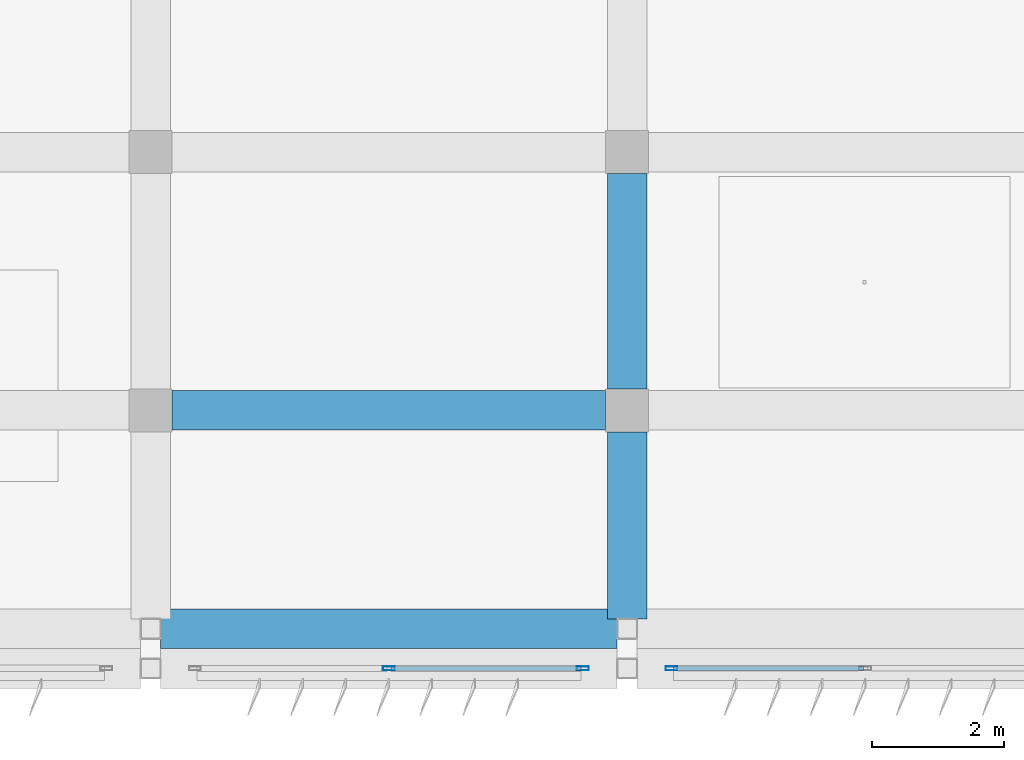
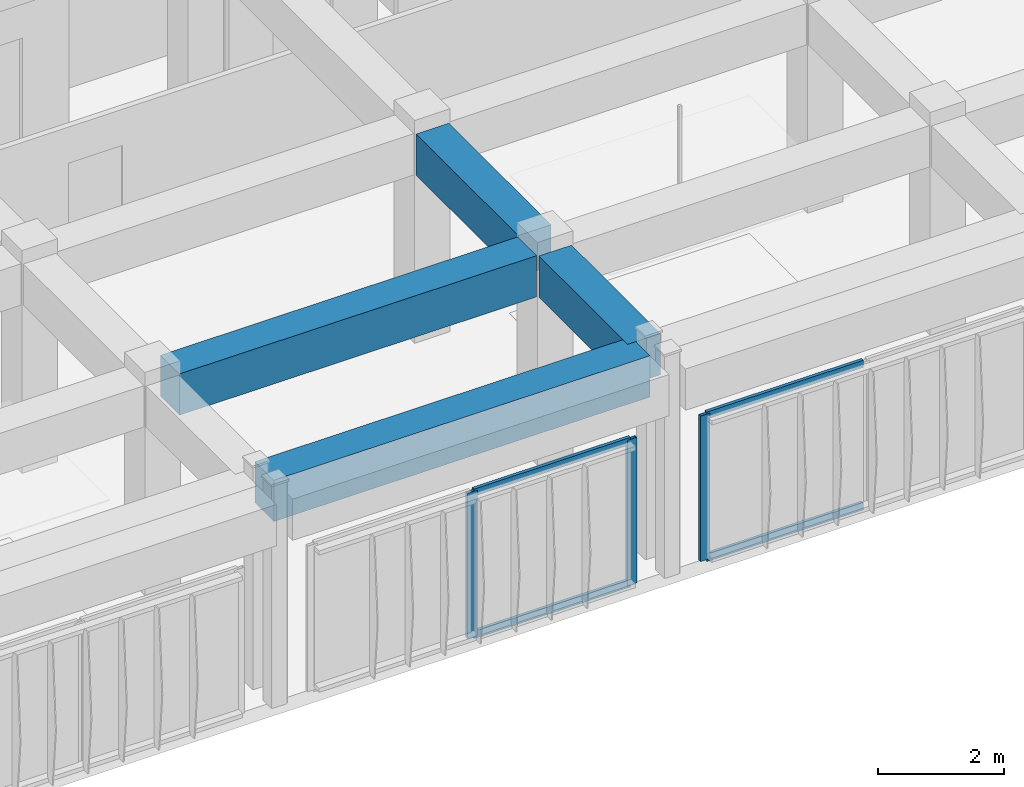
# One storey, part 7 of 42: 7 members, 4 beams, 2 elements without a shape of their own.
"""IFC4 building model written with IfcOpenShell, lengths in metres."""

from ifc_helpers import new_model, si_unit, direction, frame, origin, origin_2d, place, context, subcontext, project, spatial, rectangle, hollow_rectangle, extrude, material, material_profile, profile_set, type_object, element, aggregate, save


model = new_model("IFC4")

# Units and contexts
model_context = context("Model", 3, precision=1e-05, world=origin(), true_north=direction((0.0, 1.0)))
body_context = subcontext(model_context, "Body", "Model", "MODEL_VIEW")
ifc_project = project(units=[si_unit("LENGTHUNIT", "METRE"), si_unit("AREAUNIT", "SQUARE_METRE"), si_unit("VOLUMEUNIT", "CUBIC_METRE"), si_unit("PLANEANGLEUNIT", "RADIAN"), si_unit("MASSUNIT", "GRAM", prefix="KILO")], contexts=[model_context])

# Site, building, storey
site_placement = place(None, origin())
site = spatial("IfcSite", under=ifc_project, at=site_placement, CompositionType="ELEMENT")
building_placement = place(site_placement, origin())
building = spatial("IfcBuilding", under=site, at=building_placement, Name="Kazehaya Institute of Natural Sciences", CompositionType="ELEMENT")
storey_placement = place(building_placement, frame((0.0, 0.0, 37.6201171875)))
storey = spatial("IfcBuildingStorey", under=building, at=storey_placement, Name="L08", CompositionType="ELEMENT", Elevation=37.6201171875)

# Beams
ifc_material_1 = material(Name="Concrete Fc36", Category="concrete")
ifc_material_profile_1 = material_profile(ifc_material_1, rectangle(XDim=0.60009765625, YDim=0.800048828125, at=origin_2d()), Name="RC-600x800")
ifc_profile_set_1 = profile_set([ifc_material_profile_1], Name="Concrete Fc36")
beam_type = type_object("IfcBeamType", Name="BM-G-600x800", PredefinedType="BEAM", material=ifc_profile_set_1)
beam_1_placement = place(storey_placement, frame((69.14990234375, 6.800048828125, 3.64990234375), z_axis=(1.0, 0.0, 0.0), x_axis=(0.0, 1.0, 0.0)))
element("IfcBeam", 1, at=beam_1_placement, inside=storey, type_object=beam_type, Name="L08 primary X girder BMX-L08-690-68", PredefinedType="BEAM", context=body_context, shape_type="SweptSolid", body=[
    extrude(rectangle(XDim=0.60009765625, YDim=0.800048828125, at=origin_2d()), origin(), (0.0, 0.0, 1.0), 6.900146484375),
])
beam_2_placement = place(storey_placement, frame((69.324951171875, 10.10009765625, 3.64990234375), z_axis=(1.0, 0.0, 0.0), x_axis=(0.0, 1.0, 0.0)))
element("IfcBeam", 2, at=beam_2_placement, inside=storey, type_object=beam_type, Name="L08 primary X girder BMX-L08-690-101", PredefinedType="BEAM", context=body_context, shape_type="SweptSolid", body=[
    extrude(rectangle(XDim=0.60009765625, YDim=0.800048828125, at=origin_2d()), origin(), (0.0, 0.0, 1.0), 6.550048828125),
])
beam_3_placement = place(storey_placement, frame((76.199951171875, 6.949951171875, 3.64990234375), z_axis=(0.0, 1.0, 0.0), x_axis=(-1.0, 0.0, 0.0)))
element("IfcBeam", 3, at=beam_3_placement, inside=storey, type_object=beam_type, Name="L08 primary Y girder BMY-L08-762-68", PredefinedType="BEAM", context=body_context, shape_type="SweptSolid", body=[
    extrude(rectangle(XDim=0.60009765625, YDim=0.800048828125, at=origin_2d()), origin(), (0.0, 0.0, 1.0), 2.824951171875),
])
beam_4_placement = place(storey_placement, frame((76.199951171875, 10.425048828125, 3.64990234375), z_axis=(0.0, 1.0, 0.0), x_axis=(-1.0, 0.0, 0.0)))
element("IfcBeam", 4, at=beam_4_placement, inside=storey, type_object=beam_type, Name="L08 primary Y girder BMY-L08-762-101", PredefinedType="BEAM", context=body_context, shape_type="SweptSolid", body=[
    extrude(rectangle(XDim=0.60009765625, YDim=0.800048828125, at=origin_2d()), origin(), (0.0, 0.0, 1.0), 3.25),
])

# Curtain wall, member
ifc_material_2 = material(Name="Aluminium alloy A6063S-T5", Category="aluminium")
curtain_wall_type = type_object("IfcCurtainWallType", Name="CW-SYS-05", PredefinedType="NOTDEFINED", material=ifc_material_2)
curtain_wall_1_placement = place(storey_placement, origin())
curtain_wall_1 = element("IfcCurtainWall", 5, at=curtain_wall_1_placement, inside=storey, type_object=curtain_wall_type, Name="L08 unitised curtain wall CW-L08-181", PredefinedType="NOTDEFINED")
ifc_material_profile_2 = material_profile(ifc_material_2, hollow_rectangle(XDim=0.06005859375, YDim=0.179931640625, WallThickness=0.00390625, at=origin_2d()), Name="ALU-60x180x4")
ifc_profile_set_2 = profile_set([ifc_material_profile_2], Name="Aluminium alloy A6063S-T5")
member_type_1 = type_object("IfcMemberType", Name="CWM-180", PredefinedType="MULLION", material=ifc_profile_set_2)
member_1_placement = place(storey_placement, frame((76.8701171875, 6.199951171875, 0.0), z_axis=(0.0, 0.0, 1.0), x_axis=(0.0, -1.0, 0.0)))
member_1 = element("IfcMember", 6, at=member_1_placement, type_object=member_type_1, Name="CW05 mullion 3", PredefinedType="MULLION", context=body_context, shape_type="SweptSolid", body=[
    extrude(hollow_rectangle(XDim=0.06005859375, YDim=0.179931640625, WallThickness=0.00390625, at=origin_2d()), origin(), (0.0, 0.0, 1.0), 2.81982421875),
])

# Curtain wall, members
curtain_wall_2_placement = place(storey_placement, origin())
curtain_wall_2 = element("IfcCurtainWall", 7, at=curtain_wall_2_placement, inside=storey, type_object=curtain_wall_type, Name="L08 unitised curtain wall CW-L08-182", PredefinedType="NOTDEFINED")
member_2_placement = place(storey_placement, frame((75.530029296875, 6.199951171875, 0.0), z_axis=(0.0, 0.0, 1.0), x_axis=(0.0, -1.0, 0.0)))
member_2 = element("IfcMember", 8, at=member_2_placement, type_object=member_type_1, Name="CW05 mullion 1", PredefinedType="MULLION", context=body_context, shape_type="SweptSolid", body=[
    extrude(hollow_rectangle(XDim=0.06005859375, YDim=0.179931640625, WallThickness=0.00390625, at=origin_2d()), origin(), (0.0, 0.0, 1.0), 2.81982421875),
])
member_3_placement = place(storey_placement, frame((72.60009765625, 6.199951171875, 0.0), z_axis=(0.0, 0.0, 1.0), x_axis=(0.0, -1.0, 0.0)))
member_3 = element("IfcMember", 9, at=member_3_placement, type_object=member_type_1, Name="CW05 mullion 2", PredefinedType="MULLION", context=body_context, shape_type="SweptSolid", body=[
    extrude(hollow_rectangle(XDim=0.06005859375, YDim=0.179931640625, WallThickness=0.00390625, at=origin_2d()), origin(), (0.0, 0.0, 1.0), 2.81982421875),
])

# Member
ifc_material_profile_3 = material_profile(ifc_material_2, hollow_rectangle(XDim=0.06005859375, YDim=0.139892578125, WallThickness=0.00341796875, at=origin_2d()), Name="ALU-60x140x3.5")
ifc_profile_set_3 = profile_set([ifc_material_profile_3], Name="Aluminium alloy A6063S-T5")
member_type_2 = type_object("IfcMemberType", Name="CWT-140", PredefinedType="USERDEFINED", material=ifc_profile_set_3)
member_4_placement = place(storey_placement, frame((79.77001953125, 6.199951171875, 0.02978515625), z_axis=(-1.0, 0.0, 0.0), x_axis=(0.0, -1.0, 0.0)))
member_4 = element("IfcMember", 10, at=member_4_placement, type_object=member_type_2, Name="CW05 transom 2.1", ObjectType="TRANSOM", PredefinedType="USERDEFINED", context=body_context, shape_type="SweptSolid", body=[
    extrude(hollow_rectangle(XDim=0.06005859375, YDim=0.139892578125, WallThickness=0.00341796875, at=origin_2d()), origin(), (0.0, 0.0, 1.0), 2.8701171875),
])

member_5_placement = place(storey_placement, frame((79.77001953125, 6.199951171875, 2.789794921875), z_axis=(-1.0, 0.0, 0.0), x_axis=(0.0, -1.0, 0.0)))
member_5 = element("IfcMember", 11, at=member_5_placement, type_object=member_type_2, Name="CW05 transom 2.2", ObjectType="TRANSOM", PredefinedType="USERDEFINED", context=body_context, shape_type="SweptSolid", body=[
    extrude(hollow_rectangle(XDim=0.06005859375, YDim=0.139892578125, WallThickness=0.00341796875, at=origin_2d()), origin(), (0.0, 0.0, 1.0), 2.8701171875),
])

aggregate(curtain_wall_1, [member_1, member_4, member_5])

member_6_placement = place(storey_placement, frame((75.5, 6.199951171875, 0.02978515625), z_axis=(-1.0, 0.0, 0.0), x_axis=(0.0, -1.0, 0.0)))
member_6 = element("IfcMember", 12, at=member_6_placement, type_object=member_type_2, Name="CW05 transom 1.1", ObjectType="TRANSOM", PredefinedType="USERDEFINED", context=body_context, shape_type="SweptSolid", body=[
    extrude(hollow_rectangle(XDim=0.06005859375, YDim=0.139892578125, WallThickness=0.00341796875, at=origin_2d()), origin(), (0.0, 0.0, 1.0), 2.8701171875),
])

member_7_placement = place(storey_placement, frame((75.5, 6.199951171875, 2.789794921875), z_axis=(-1.0, 0.0, 0.0), x_axis=(0.0, -1.0, 0.0)))
member_7 = element("IfcMember", 13, at=member_7_placement, type_object=member_type_2, Name="CW05 transom 1.2", ObjectType="TRANSOM", PredefinedType="USERDEFINED", context=body_context, shape_type="SweptSolid", body=[
    extrude(hollow_rectangle(XDim=0.06005859375, YDim=0.139892578125, WallThickness=0.00341796875, at=origin_2d()), origin(), (0.0, 0.0, 1.0), 2.8701171875),
])

aggregate(curtain_wall_2, [member_2, member_3, member_6, member_7])

save(model, "model.ifc")
